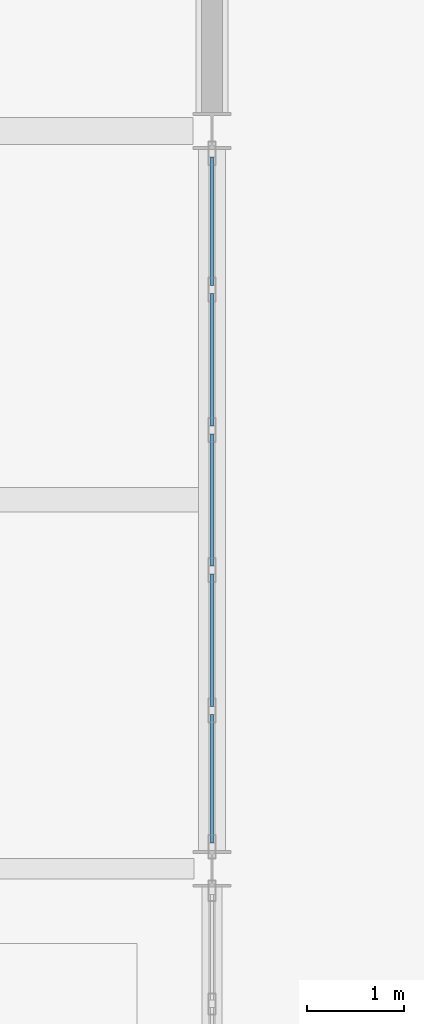
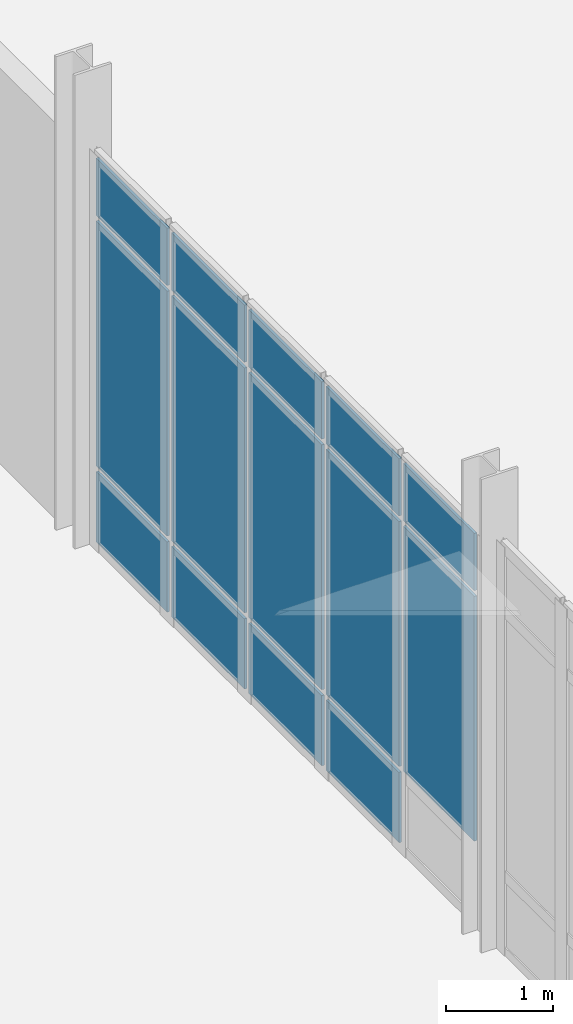
# One storey, part 145 of 229: 14 plates, 1 element without a shape of its own.
"""IFC4 building model written with IfcOpenShell, lengths in metres."""

from ifc_helpers import new_model, si_unit, direction, frame, origin, origin_2d, place, context, subcontext, project, spatial, rectangle, extrude, material, layer, layer_set, type_object, element, aggregate, save


model = new_model("IFC4")

# Units and contexts
model_context = context("Model", 3, precision=1e-05, world=origin(), true_north=direction((0.0, 1.0)))
body_context = subcontext(model_context, "Body", "Model", "MODEL_VIEW")
ifc_project = project(units=[si_unit("LENGTHUNIT", "METRE"), si_unit("AREAUNIT", "SQUARE_METRE"), si_unit("VOLUMEUNIT", "CUBIC_METRE"), si_unit("PLANEANGLEUNIT", "RADIAN"), si_unit("MASSUNIT", "GRAM", prefix="KILO")], contexts=[model_context])

# Site, building, storey
site_placement = place(None, origin())
site = spatial("IfcSite", under=ifc_project, at=site_placement, CompositionType="ELEMENT")
building_placement = place(site_placement, origin())
building = spatial("IfcBuilding", under=site, at=building_placement, Name="Calvrana Isthmian Art Gallery", CompositionType="ELEMENT")
storey_placement = place(building_placement, origin())
storey = spatial("IfcBuildingStorey", under=building, at=storey_placement, Name="L00", CompositionType="ELEMENT", Elevation=0.0)

# Curtain wall, plates
ifc_material_1 = material(Name="Anodized bronze aluminium 6063-T6", Category="aluminium")
ifc_layer_1 = layer(ifc_material_1, 0.179931640625, Name="Anodized bronze aluminium 6063-T6")
ifc_layer_set_1 = layer_set([ifc_layer_1], Name="Anodized bronze aluminium 6063-T6")
curtain_wall_type = type_object("IfcCurtainWallType", Name="CW-STICK-072X45", PredefinedType="NOTDEFINED", material=ifc_layer_set_1)
curtain_wall_placement = place(storey_placement, origin())
curtain_wall = element("IfcCurtainWall", 1, at=curtain_wall_placement, inside=storey, type_object=curtain_wall_type, Name="Curtain wall CW-077", PredefinedType="NOTDEFINED")
ifc_material_2 = material(Name="Low-E laminated solar glass", Category="glass")
ifc_layer_2 = layer(ifc_material_2, 0.028076171875, Name="Low-E laminated solar glass")
ifc_layer_set_2 = layer_set([ifc_layer_2], Name="Low-E laminated solar glass")
plate_type = type_object("IfcPlateType", Name="CWP-VISION-28", PredefinedType="CURTAIN_PANEL", material=ifc_layer_set_2)
plate_1_placement = place(storey_placement, frame((120.0, 61.0673828125, 0.06494140625), z_axis=(0.0, 0.0, 1.0), x_axis=(0.0, -1.0, 0.0)))
plate_1 = element("IfcPlate", 2, at=plate_1_placement, type_object=plate_type, Name="CW-077 panel 1.1", PredefinedType="CURTAIN_PANEL", context=body_context, shape_type="SweptSolid", body=[
    extrude(rectangle(XDim=1.32421875, YDim=0.028076171875, at=origin_2d()), origin(), (0.0, 0.0, 1.0), 0.802490234375),
])
plate_2_placement = place(storey_placement, frame((120.0, 61.0673828125, 0.9326171875), z_axis=(0.0, 0.0, 1.0), x_axis=(0.0, -1.0, 0.0)))
plate_2 = element("IfcPlate", 3, at=plate_2_placement, type_object=plate_type, Name="CW-077 panel 1.2", PredefinedType="CURTAIN_PANEL", context=body_context, shape_type="SweptSolid", body=[
    extrude(rectangle(XDim=1.32421875, YDim=0.028076171875, at=origin_2d()), origin(), (0.0, 0.0, 1.0), 2.79296875),
])
plate_3_placement = place(storey_placement, frame((120.0, 61.0673828125, 3.79052734375), z_axis=(0.0, 0.0, 1.0), x_axis=(0.0, -1.0, 0.0)))
plate_3 = element("IfcPlate", 4, at=plate_3_placement, type_object=plate_type, Name="CW-077 panel 1.3", PredefinedType="CURTAIN_PANEL", context=body_context, shape_type="SweptSolid", body=[
    extrude(rectangle(XDim=1.32421875, YDim=0.028076171875, at=origin_2d()), origin(), (0.0, 0.0, 1.0), 0.652587890625),
])
plate_4_placement = place(storey_placement, frame((120.0, 59.64306640625, 0.06494140625), z_axis=(0.0, 0.0, 1.0), x_axis=(0.0, -1.0, 0.0)))
plate_4 = element("IfcPlate", 5, at=plate_4_placement, type_object=plate_type, Name="CW-077 panel 2.1", PredefinedType="CURTAIN_PANEL", context=body_context, shape_type="SweptSolid", body=[
    extrude(rectangle(XDim=1.3642578125, YDim=0.028076171875, at=origin_2d()), origin(), (0.0, 0.0, 1.0), 0.802490234375),
])
plate_5_placement = place(storey_placement, frame((120.0, 59.64306640625, 0.9326171875), z_axis=(0.0, 0.0, 1.0), x_axis=(0.0, -1.0, 0.0)))
plate_5 = element("IfcPlate", 6, at=plate_5_placement, type_object=plate_type, Name="CW-077 panel 2.2", PredefinedType="CURTAIN_PANEL", context=body_context, shape_type="SweptSolid", body=[
    extrude(rectangle(XDim=1.3642578125, YDim=0.028076171875, at=origin_2d()), origin(), (0.0, 0.0, 1.0), 2.79296875),
])
plate_6_placement = place(storey_placement, frame((120.0, 59.64306640625, 3.79052734375), z_axis=(0.0, 0.0, 1.0), x_axis=(0.0, -1.0, 0.0)))
plate_6 = element("IfcPlate", 7, at=plate_6_placement, type_object=plate_type, Name="CW-077 panel 2.3", PredefinedType="CURTAIN_PANEL", context=body_context, shape_type="SweptSolid", body=[
    extrude(rectangle(XDim=1.3642578125, YDim=0.028076171875, at=origin_2d()), origin(), (0.0, 0.0, 1.0), 0.652587890625),
])
plate_7_placement = place(storey_placement, frame((120.0, 58.19873046875, 0.06494140625), z_axis=(0.0, 0.0, 1.0), x_axis=(0.0, -1.0, 0.0)))
plate_7 = element("IfcPlate", 8, at=plate_7_placement, type_object=plate_type, Name="CW-077 panel 3.1", PredefinedType="CURTAIN_PANEL", context=body_context, shape_type="SweptSolid", body=[
    extrude(rectangle(XDim=1.3642578125, YDim=0.028076171875, at=origin_2d()), origin(), (0.0, 0.0, 1.0), 0.802490234375),
])
plate_8_placement = place(storey_placement, frame((120.0, 58.19873046875, 0.9326171875), z_axis=(0.0, 0.0, 1.0), x_axis=(0.0, -1.0, 0.0)))
plate_8 = element("IfcPlate", 9, at=plate_8_placement, type_object=plate_type, Name="CW-077 panel 3.2", PredefinedType="CURTAIN_PANEL", context=body_context, shape_type="SweptSolid", body=[
    extrude(rectangle(XDim=1.3642578125, YDim=0.028076171875, at=origin_2d()), origin(), (0.0, 0.0, 1.0), 2.79296875),
])
plate_9_placement = place(storey_placement, frame((120.0, 58.19873046875, 3.79052734375), z_axis=(0.0, 0.0, 1.0), x_axis=(0.0, -1.0, 0.0)))
plate_9 = element("IfcPlate", 10, at=plate_9_placement, type_object=plate_type, Name="CW-077 panel 3.3", PredefinedType="CURTAIN_PANEL", context=body_context, shape_type="SweptSolid", body=[
    extrude(rectangle(XDim=1.3642578125, YDim=0.028076171875, at=origin_2d()), origin(), (0.0, 0.0, 1.0), 0.652587890625),
])
plate_10_placement = place(storey_placement, frame((120.0, 56.75439453125, 0.06494140625), z_axis=(0.0, 0.0, 1.0), x_axis=(0.0, -1.0, 0.0)))
plate_10 = element("IfcPlate", 11, at=plate_10_placement, type_object=plate_type, Name="CW-077 panel 4.1", PredefinedType="CURTAIN_PANEL", context=body_context, shape_type="SweptSolid", body=[
    extrude(rectangle(XDim=1.3642578125, YDim=0.028076171875, at=origin_2d()), origin(), (0.0, 0.0, 1.0), 0.802490234375),
])
plate_11_placement = place(storey_placement, frame((120.0, 56.75439453125, 0.9326171875), z_axis=(0.0, 0.0, 1.0), x_axis=(0.0, -1.0, 0.0)))
plate_11 = element("IfcPlate", 12, at=plate_11_placement, type_object=plate_type, Name="CW-077 panel 4.2", PredefinedType="CURTAIN_PANEL", context=body_context, shape_type="SweptSolid", body=[
    extrude(rectangle(XDim=1.3642578125, YDim=0.028076171875, at=origin_2d()), origin(), (0.0, 0.0, 1.0), 2.79296875),
])
plate_12_placement = place(storey_placement, frame((120.0, 56.75439453125, 3.79052734375), z_axis=(0.0, 0.0, 1.0), x_axis=(0.0, -1.0, 0.0)))
plate_12 = element("IfcPlate", 13, at=plate_12_placement, type_object=plate_type, Name="CW-077 panel 4.3", PredefinedType="CURTAIN_PANEL", context=body_context, shape_type="SweptSolid", body=[
    extrude(rectangle(XDim=1.3642578125, YDim=0.028076171875, at=origin_2d()), origin(), (0.0, 0.0, 1.0), 0.652587890625),
])
plate_13_placement = place(storey_placement, frame((120.0, 55.330078125, 0.9326171875), z_axis=(0.0, 0.0, 1.0), x_axis=(0.0, -1.0, 0.0)))
plate_13 = element("IfcPlate", 14, at=plate_13_placement, type_object=plate_type, Name="CW-077 panel 5.2", PredefinedType="CURTAIN_PANEL", context=body_context, shape_type="SweptSolid", body=[
    extrude(rectangle(XDim=1.32421875, YDim=0.028076171875, at=origin_2d()), origin(), (0.0, 0.0, 1.0), 2.79296875),
])
plate_14_placement = place(storey_placement, frame((120.0, 55.330078125, 3.79052734375), z_axis=(0.0, 0.0, 1.0), x_axis=(0.0, -1.0, 0.0)))
plate_14 = element("IfcPlate", 15, at=plate_14_placement, type_object=plate_type, Name="CW-077 panel 5.3", PredefinedType="CURTAIN_PANEL", context=body_context, shape_type="SweptSolid", body=[
    extrude(rectangle(XDim=1.32421875, YDim=0.028076171875, at=origin_2d()), origin(), (0.0, 0.0, 1.0), 0.652587890625),
])
aggregate(curtain_wall, [plate_1, plate_2, plate_3, plate_4, plate_5, plate_6, plate_7, plate_8, plate_9, plate_10, plate_11, plate_12, plate_13, plate_14])

save(model, "model.ifc")
